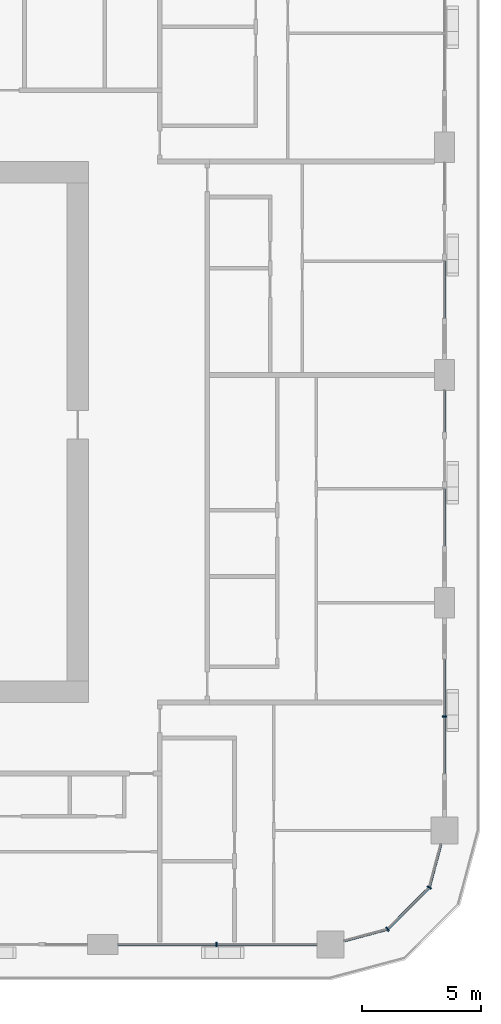
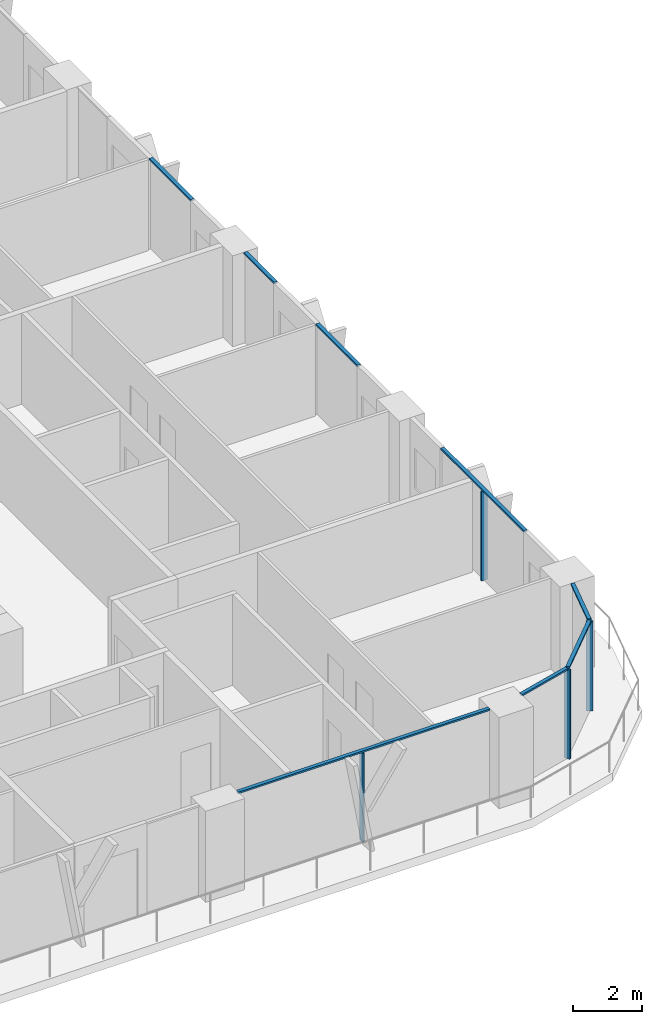
# One storey, part 4 of 21: 12 members, 5 elements without a shape of their own.
"""IFC4 building model written with IfcOpenShell, lengths in metres."""

import ifcopenshell
import ifcopenshell.guid

model = None  # the IFC model being written
_history = None  # IfcOwnerHistory: only IFC2X3 demands one
_inside = {}  # id of a spatial element -> (the spatial element, [elements in it])
_under = {}  # id of a project, library or spatial element -> (it, [spatial elements below it])
_declared = {}  # id of a project -> (the project, [libraries it declares])
_typed = {}  # id of a type object -> (the type object, [elements of that type])
_made_of = {}  # id of a material, layer set ... -> (it, [elements and type objects made of it])


def new_model(schema):
    """Start an empty IFC model of exactly this schema.

    Asked for "IFC4X3", IfcOpenShell would pick the latest addendum, in which some entities
    have other attributes; the version numbers below select the first issue.
    IFC2X3 requires an IfcOwnerHistory on every rooted entity: one is made here for all.
    """
    global model, _history
    if schema == "IFC4X3":
        model = ifcopenshell.file(schema_version=(4, 3, 0, 0))
    else:
        model = ifcopenshell.file(schema=schema)
    _inside.clear()
    _under.clear()
    _declared.clear()
    _typed.clear()
    _made_of.clear()
    _history = None
    if model.schema == "IFC2X3":
        org = make("IfcOrganization", Name="unknown")
        user = make(
            "IfcPersonAndOrganization",
            ThePerson=make("IfcPerson", FamilyName="unknown"),
            TheOrganization=org,
        )
        app = make(
            "IfcApplication",
            ApplicationDeveloper=org,
            Version="unknown",
            ApplicationFullName="unknown",
            ApplicationIdentifier="unknown",
        )
        _history = make(
            "IfcOwnerHistory",
            OwningUser=user,
            OwningApplication=app,
            ChangeAction="ADDED",
            CreationDate=0,
        )
    return model


def make(cls, **values):
    """One entity of the class cls with the attributes given. An attribute that is None is left unset."""
    return model.create_entity(
        cls, **{name: value for name, value in values.items() if value is not None}
    )


def rooted(cls, **values):
    """An entity with a GlobalId (a new one), such as an element, a storey or a relation."""
    return make(cls, GlobalId=ifcopenshell.guid.new(), OwnerHistory=_history, **values)


def si_unit(unit_type, name, prefix=None):
    """IfcSIUnit, for example si_unit("LENGTHUNIT", "METRE", prefix="MILLI")."""
    return make("IfcSIUnit", UnitType=unit_type, Prefix=prefix, Name=name)


def assignment(units):
    """IfcUnitAssignment: the units of a project."""
    return None if units is None else make("IfcUnitAssignment", Units=units)


def point(xyz):
    """IfcCartesianPoint."""
    return None if xyz is None else make("IfcCartesianPoint", Coordinates=xyz)


def direction(xyz):
    """IfcDirection."""
    return None if xyz is None else make("IfcDirection", DirectionRatios=xyz)


def frame(location, z_axis=None, x_axis=None):
    """IfcAxis2Placement3D, a coordinate frame: its origin and axes. An axis left out is left unset."""
    return make(
        "IfcAxis2Placement3D",
        Location=point(location),
        Axis=direction(z_axis),
        RefDirection=direction(x_axis),
    )


def frame_2d(location, x_axis=None):
    """IfcAxis2Placement2D, a coordinate frame in the plane: its origin and x axis."""
    return make(
        "IfcAxis2Placement2D", Location=point(location), RefDirection=direction(x_axis)
    )


def origin():
    """The frame at (0, 0, 0) with its axes left unset."""
    return frame((0.0, 0.0, 0.0))


def origin_2d():
    """The frame at (0, 0) in the plane with its x axis left unset."""
    return frame_2d((0.0, 0.0))


def place(relative_to, where):
    """IfcLocalPlacement: puts the frame where relative to a parent placement (None: the world)."""
    return make(
        "IfcLocalPlacement", PlacementRelTo=relative_to, RelativePlacement=where
    )


def context(
    kind, dimensions, precision=None, world=None, true_north=None, identifier=None
):
    """IfcGeometricRepresentationContext, for example the 3D "Model" context."""
    return make(
        "IfcGeometricRepresentationContext",
        ContextIdentifier=identifier,
        ContextType=kind,
        CoordinateSpaceDimension=dimensions,
        Precision=precision,
        WorldCoordinateSystem=world,
        TrueNorth=true_north,
    )


def subcontext(parent, identifier, kind, view, scale=None):
    """IfcGeometricRepresentationSubContext, for example "Body" below "Model"."""
    return make(
        "IfcGeometricRepresentationSubContext",
        ContextIdentifier=identifier,
        ContextType=kind,
        ParentContext=parent,
        TargetScale=scale,
        TargetView=view,
    )


def project(units=None, contexts=None):
    """IfcProject with its units and contexts."""
    return rooted(
        "IfcProject",
        Name="project",
        RepresentationContexts=contexts,
        UnitsInContext=assignment(units),
    )


def spatial(cls, under=None, at=None, **own):
    """A site, building, storey or space (cls), placed at a placement, below another one or the project."""
    s = rooted(cls, ObjectPlacement=at, **own)
    if under is not None:
        _under.setdefault(under.id(), (under, []))[1].append(s)
    return s


def profile(cls, at=None, kind="AREA", **sizes):
    """A parametric profile (cls). Its sizes go by their IFC names, for example OverallWidth=200.0."""
    return make(cls, ProfileType=kind, Position=at, **sizes)


def rectangle(**sizes):
    """IfcRectangleProfileDef."""
    return profile("IfcRectangleProfileDef", **sizes)


def extrude(swept, where, along, depth):
    """IfcExtrudedAreaSolid: the profile swept, set in the frame where, extruded along a direction by depth."""
    return make(
        "IfcExtrudedAreaSolid",
        SweptArea=swept,
        Position=where,
        ExtrudedDirection=direction(along),
        Depth=depth,
    )


def shape(context_of_items, identifier, shape_type, items):
    """IfcShapeRepresentation: the items that make up one representation, for example the "Body"."""
    return make(
        "IfcShapeRepresentation",
        ContextOfItems=context_of_items,
        RepresentationIdentifier=identifier,
        RepresentationType=shape_type,
        Items=items,
    )


def material(Name=None, Category=None):
    """IfcMaterial."""
    return make("IfcMaterial", Name=Name, Category=Category)


def layer(
    of_material, thickness, ventilated=None, Name=None, Category=None, Priority=None
):
    """IfcMaterialLayer: one layer of a wall or slab, of a material (None: an air gap)."""
    return make(
        "IfcMaterialLayer",
        Material=of_material,
        LayerThickness=thickness,
        IsVentilated=ventilated,
        Name=Name,
        Category=Category,
        Priority=Priority,
    )


def layer_set(layers, Name=None):
    """IfcMaterialLayerSet."""
    return make("IfcMaterialLayerSet", MaterialLayers=layers, LayerSetName=Name)


def material_profile(
    of_material, cross_section, Name=None, Category=None, Priority=None
):
    """IfcMaterialProfile: a cross section and its material."""
    return make(
        "IfcMaterialProfile",
        Name=Name,
        Material=of_material,
        Profile=cross_section,
        Priority=Priority,
        Category=Category,
    )


def profile_set(profiles, Name=None, composite=None):
    """IfcMaterialProfileSet."""
    return make(
        "IfcMaterialProfileSet",
        Name=Name,
        MaterialProfiles=profiles,
        CompositeProfile=composite,
    )


def made_of(thing, what):
    """Note that an element or type object is made of a material, layer set ...; save() writes the relation."""
    if what is not None:
        _made_of.setdefault(what.id(), (what, []))[1].append(thing)
    return thing


def type_object(cls, material=None, **own):
    """A type object (cls), such as IfcWallType, which elements share."""
    return made_of(rooted(cls, **own), material)


def element(
    cls,
    number,
    at=None,
    inside=None,
    cuts=None,
    type_object=None,
    material=None,
    context=None,
    identifier="Body",
    shape_type=None,
    held_by="IfcProductDefinitionShape",
    body=None,
    shapes=None,
    **own,
):
    """One element of the class cls, such as IfcWall. Its Tag is "e" and its number.

    at: its placement. inside: the storey or other place that contains it. cuts: it is an
    opening in that element (IfcRelVoidsElement). A single representation is given by context,
    identifier, shape_type and body (its items); several are given by shapes. held_by: the class
    of the entity that holds the representations. save() writes the other relations.
    """
    e = rooted(cls, Tag="e%d" % number, ObjectPlacement=at, **own)
    if body is not None:
        shapes = [shape(context, identifier, shape_type, body)]
    if shapes is not None:
        e.Representation = make(held_by, Representations=shapes)
    if inside is not None:
        _inside.setdefault(inside.id(), (inside, []))[1].append(e)
    if cuts is not None:
        rooted(
            "IfcRelVoidsElement", RelatingBuildingElement=cuts, RelatedOpeningElement=e
        )
    if type_object is not None:
        _typed.setdefault(type_object.id(), (type_object, []))[1].append(e)
    return made_of(e, material)


def aggregate(whole, parts):
    """IfcRelAggregates: a whole, such as a stair, and the parts it consists of."""
    return rooted("IfcRelAggregates", RelatingObject=whole, RelatedObjects=parts)


def save(model, path):
    """Write the relations noted so far, then the file.

    IfcRelAggregates (storeys below a building ...), IfcRelContainedInSpatialStructure (elements
    in a storey), IfcRelDefinesByType, IfcRelAssociatesMaterial and IfcRelDeclares: one each for
    every whole, place, type object, material and project.
    """
    for whole, parts in _under.values():
        aggregate(whole, parts)
    for where, things in _inside.values():
        rooted(
            "IfcRelContainedInSpatialStructure",
            RelatedElements=things,
            RelatingStructure=where,
        )
    for kind, things in _typed.values():
        rooted("IfcRelDefinesByType", RelatedObjects=things, RelatingType=kind)
    for what, things in _made_of.values():
        rooted("IfcRelAssociatesMaterial", RelatedObjects=things, RelatingMaterial=what)
    for by, libraries in _declared.values():
        rooted("IfcRelDeclares", RelatingContext=by, RelatedDefinitions=libraries)
    model.write(path)


model = new_model("IFC4")

# Units and contexts
model_context = context("Model", 3, precision=1e-05, world=origin(), true_north=direction((0.0, 1.0)))
body_context = subcontext(model_context, "Body", "Model", "MODEL_VIEW")
ifc_project = project(units=[si_unit("LENGTHUNIT", "METRE"), si_unit("AREAUNIT", "SQUARE_METRE"), si_unit("VOLUMEUNIT", "CUBIC_METRE"), si_unit("PLANEANGLEUNIT", "RADIAN"), si_unit("MASSUNIT", "GRAM", prefix="KILO")], contexts=[model_context])

# Site, building, storey
site_placement = place(None, origin())
site = spatial("IfcSite", under=ifc_project, at=site_placement, CompositionType="ELEMENT")
building_placement = place(site_placement, origin())
building = spatial("IfcBuilding", under=site, at=building_placement, Name="Madar Terraces", CompositionType="ELEMENT")
storey_placement = place(building_placement, frame((0.0, 0.0, 89.199951171875)))
storey = spatial("IfcBuildingStorey", under=building, at=storey_placement, Name="L22", CompositionType="ELEMENT", Elevation=89.199951171875)

# Curtain wall, member
ifc_material_1 = material(Name="Glass, ceramic frit dark grey, with black aluminium frame", Category="aluminium")
ifc_layer = layer(ifc_material_1, 0.199951171875)
ifc_layer_set = layer_set([ifc_layer], Name="Facade curtain wall, fritted glass")
curtain_wall_type = type_object("IfcCurtainWallType", Name="Facade curtain wall, fritted glass", PredefinedType="NOTDEFINED", material=ifc_layer_set)
curtain_wall_1_placement = place(storey_placement, origin())
curtain_wall_1 = element("IfcCurtainWall", 1, at=curtain_wall_1_placement, inside=storey, type_object=curtain_wall_type, Name="Outer skin curtain wall south bay 5", PredefinedType="NOTDEFINED")
ifc_material_2 = material(Name="Aluminium, black anodised", Category="aluminium")
ifc_material_profile_1 = material_profile(ifc_material_2, rectangle(XDim=0.199951171875, YDim=0.06005859375, at=origin_2d()), Name="Facade mullion 60x200")
ifc_profile_set_1 = profile_set([ifc_material_profile_1], Name="Aluminium, black anodised")
member_type_1 = type_object("IfcMemberType", Name="Facade mullion 60x200", PredefinedType="MULLION", material=ifc_profile_set_1)
member_1_placement = place(storey_placement, frame((52.800048828125, 4.800048828125, 0.0), z_axis=(0.0, 0.0, 1.0), x_axis=(0.0, 1.0, 0.0)))
member_1 = element("IfcMember", 2, at=member_1_placement, type_object=member_type_1, Name="Mullion 1", PredefinedType="MULLION", context=body_context, shape_type="SweptSolid", body=[
    extrude(rectangle(XDim=0.199951171875, YDim=0.06005859375, at=origin_2d()), origin(), (0.0, 0.0, 1.0), 3.14013671875),
])

curtain_wall_2_placement = place(storey_placement, origin())
curtain_wall_2 = element("IfcCurtainWall", 3, at=curtain_wall_2_placement, inside=storey, type_object=curtain_wall_type, Name="Outer skin curtain wall east bay 1", PredefinedType="NOTDEFINED")
member_2_placement = place(storey_placement, frame((62.39990234375, 14.39990234375, 0.0), z_axis=(0.0, 0.0, 1.0), x_axis=(-1.0, 0.0, 0.0)))
member_2 = element("IfcMember", 4, at=member_2_placement, type_object=member_type_1, Name="Mullion 1", PredefinedType="MULLION", context=body_context, shape_type="SweptSolid", body=[
    extrude(rectangle(XDim=0.199951171875, YDim=0.06005859375, at=origin_2d()), origin(), (0.0, 0.0, 1.0), 3.14013671875),
])

# Curtain wall, members
curtain_wall_3_placement = place(storey_placement, origin())
curtain_wall_3 = element("IfcCurtainWall", 5, at=curtain_wall_3_placement, inside=storey, type_object=curtain_wall_type, Name="Outer skin curtain wall south-east corner", PredefinedType="NOTDEFINED")
member_3_placement = place(storey_placement, frame((60.0, 5.443115234375, 0.0), z_axis=(0.0, 0.0, 1.0), x_axis=(-0.499999989586, 0.866025409797, 0.0)))
member_3 = element("IfcMember", 6, at=member_3_placement, type_object=member_type_1, Name="Mullion 1", PredefinedType="MULLION", context=body_context, shape_type="SweptSolid", body=[
    extrude(rectangle(XDim=0.199951171875, YDim=0.06005859375, at=origin_2d()), origin(), (0.0, 0.0, 1.0), 3.14013671875),
])
member_4_placement = place(storey_placement, frame((61.7568359375, 7.199951171875, 0.0), z_axis=(0.0, 0.0, 1.0), x_axis=(-0.866025409797, 0.499999989586, 0.0)))
member_4 = element("IfcMember", 7, at=member_4_placement, type_object=member_type_1, Name="Mullion 2", PredefinedType="MULLION", context=body_context, shape_type="SweptSolid", body=[
    extrude(rectangle(XDim=0.199951171875, YDim=0.06005859375, at=origin_2d()), origin(), (0.0, 0.0, 1.0), 3.14013671875),
])

# Member
ifc_material_3 = material(Name="Aluminium, black anodised", Category="aluminium")
ifc_material_profile_2 = material_profile(ifc_material_3, rectangle(XDim=0.1201171875, YDim=0.06005859375, at=origin_2d()), Name="Facade transom 60x120")
ifc_profile_set_2 = profile_set([ifc_material_profile_2], Name="Aluminium, black anodised")
member_type_2 = type_object("IfcMemberType", Name="Facade transom 60x120", PredefinedType="USERDEFINED", material=ifc_profile_set_2)
member_5_placement = place(storey_placement, frame((48.64990234375, 4.800048828125, 3.170166015625), z_axis=(1.0, 0.0, 0.0), x_axis=(0.0, 1.0, 0.0)))
member_5 = element("IfcMember", 8, at=member_5_placement, type_object=member_type_2, Name="Transom 1", ObjectType="TRANSOM", PredefinedType="USERDEFINED", context=body_context, shape_type="SweptSolid", body=[
    extrude(rectangle(XDim=0.1201171875, YDim=0.06005859375, at=origin_2d()), origin(), (0.0, 0.0, 1.0), 8.375),
])

aggregate(curtain_wall_1, [member_1, member_5])

member_6_placement = place(storey_placement, frame((62.39990234375, 12.0, 3.170166015625), z_axis=(0.0, 1.0, 0.0), x_axis=(-1.0, 0.0, 0.0)))
member_6 = element("IfcMember", 9, at=member_6_placement, type_object=member_type_2, Name="Transom 1", ObjectType="TRANSOM", PredefinedType="USERDEFINED", context=body_context, shape_type="SweptSolid", body=[
    extrude(rectangle(XDim=0.1201171875, YDim=0.06005859375, at=origin_2d()), origin(), (0.0, 0.0, 1.0), 4.800048828125),
])

aggregate(curtain_wall_2, [member_2, member_6])

# Curtain wall, members
curtain_wall_4_placement = place(storey_placement, origin())
curtain_wall_4 = element("IfcCurtainWall", 10, at=curtain_wall_4_placement, inside=storey, type_object=curtain_wall_type, Name="Outer skin curtain wall east bay 2", PredefinedType="NOTDEFINED")
member_7_placement = place(storey_placement, frame((62.39990234375, 21.60009765625, 3.170166015625), z_axis=(0.0, 1.0, 0.0), x_axis=(-1.0, 0.0, 0.0)))
member_7 = element("IfcMember", 11, at=member_7_placement, type_object=member_type_2, Name="Transom 1", ObjectType="TRANSOM", PredefinedType="USERDEFINED", context=body_context, shape_type="SweptSolid", body=[
    extrude(rectangle(XDim=0.1201171875, YDim=0.06005859375, at=origin_2d()), origin(), (0.0, 0.0, 1.0), 2.39990234375),
])
member_8_placement = place(storey_placement, frame((62.39990234375, 26.39990234375, 3.170166015625), z_axis=(0.0, 1.0, 0.0), x_axis=(-1.0, 0.0, 0.0)))
member_8 = element("IfcMember", 12, at=member_8_placement, type_object=member_type_2, Name="Transom 2", ObjectType="TRANSOM", PredefinedType="USERDEFINED", context=body_context, shape_type="SweptSolid", body=[
    extrude(rectangle(XDim=0.1201171875, YDim=0.06005859375, at=origin_2d()), origin(), (0.0, 0.0, 1.0), 1.75),
])
aggregate(curtain_wall_4, [member_7, member_8])

# Curtain wall, member
curtain_wall_5_placement = place(storey_placement, origin())
curtain_wall_5 = element("IfcCurtainWall", 13, at=curtain_wall_5_placement, inside=storey, type_object=curtain_wall_type, Name="Outer skin curtain wall east bay 3", PredefinedType="NOTDEFINED")
member_9_placement = place(storey_placement, frame((62.39990234375, 31.199951171875, 3.170166015625), z_axis=(0.0, 1.0, 0.0), x_axis=(-1.0, 0.0, 0.0)))
member_9 = element("IfcMember", 14, at=member_9_placement, type_object=member_type_2, Name="Transom 1", ObjectType="TRANSOM", PredefinedType="USERDEFINED", context=body_context, shape_type="SweptSolid", body=[
    extrude(rectangle(XDim=0.1201171875, YDim=0.06005859375, at=origin_2d()), origin(), (0.0, 0.0, 1.0), 2.400146484375),
])
aggregate(curtain_wall_5, [member_9])

# Member
member_10_placement = place(storey_placement, frame((58.175048828125, 4.9541015625, 3.170166015625), z_axis=(0.965926950947, 0.258814847786, 0.0), x_axis=(-0.258814847786, 0.965926950947, 0.0)))
member_10 = element("IfcMember", 15, at=member_10_placement, type_object=member_type_2, Name="Transom 1", ObjectType="TRANSOM", PredefinedType="USERDEFINED", context=body_context, shape_type="SweptSolid", body=[
    extrude(rectangle(XDim=0.1201171875, YDim=0.06005859375, at=origin_2d()), origin(), (0.0, 0.0, 1.0), 1.859130859375),
])

member_11_placement = place(storey_placement, frame((60.021240234375, 5.46435546875, 3.170166015625), z_axis=(0.707106781187, 0.707106781187, 0.0), x_axis=(-0.707106781187, 0.707106781187, 0.0)))
member_11 = element("IfcMember", 16, at=member_11_placement, type_object=member_type_2, Name="Transom 2", ObjectType="TRANSOM", PredefinedType="USERDEFINED", context=body_context, shape_type="SweptSolid", body=[
    extrude(rectangle(XDim=0.1201171875, YDim=0.06005859375, at=origin_2d()), origin(), (0.0, 0.0, 1.0), 2.424560546875),
])

member_12_placement = place(storey_placement, frame((61.7646484375, 7.22900390625, 3.170166015625), z_axis=(0.258814847786, 0.965926950947, 0.0), x_axis=(-0.965926950947, 0.258814847786, 0.0)))
member_12 = element("IfcMember", 17, at=member_12_placement, type_object=member_type_2, Name="Transom 3", ObjectType="TRANSOM", PredefinedType="USERDEFINED", context=body_context, shape_type="SweptSolid", body=[
    extrude(rectangle(XDim=0.1201171875, YDim=0.06005859375, at=origin_2d()), origin(), (0.0, 0.0, 1.0), 1.859130859375),
])

aggregate(curtain_wall_3, [member_3, member_10, member_4, member_11, member_12])

save(model, "model.ifc")
